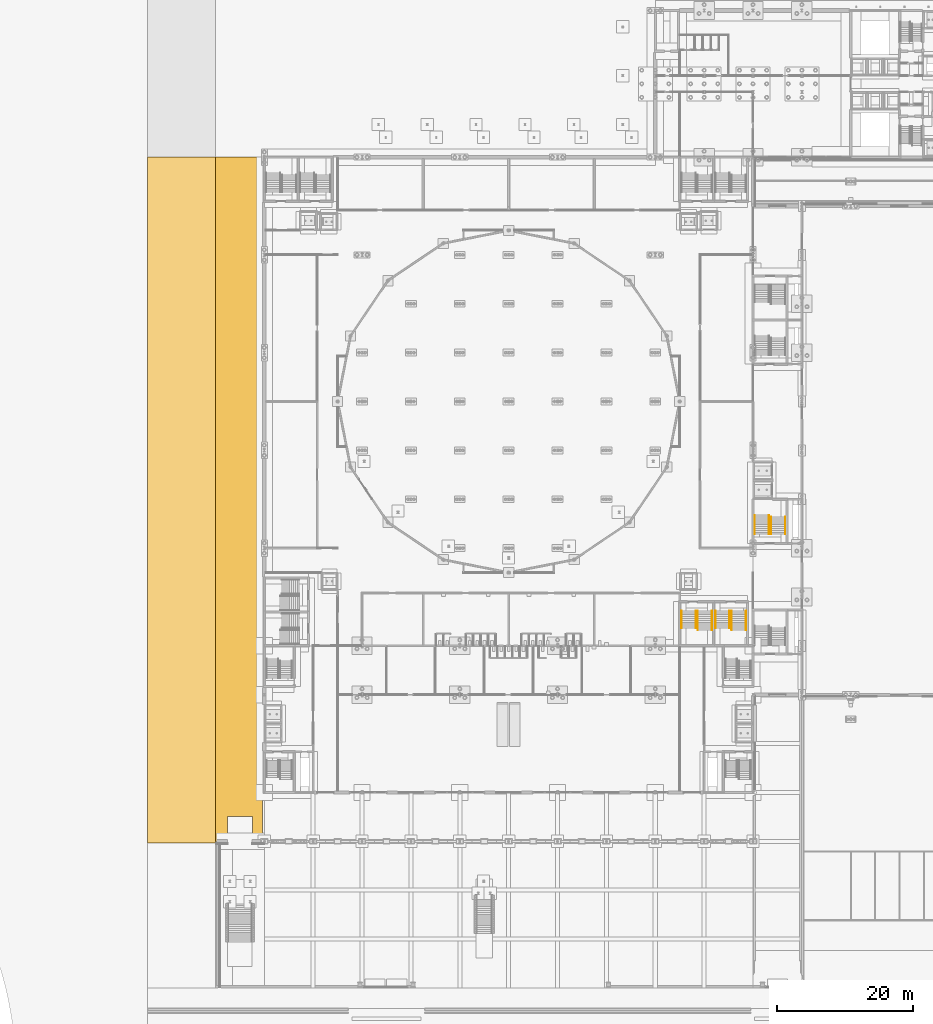
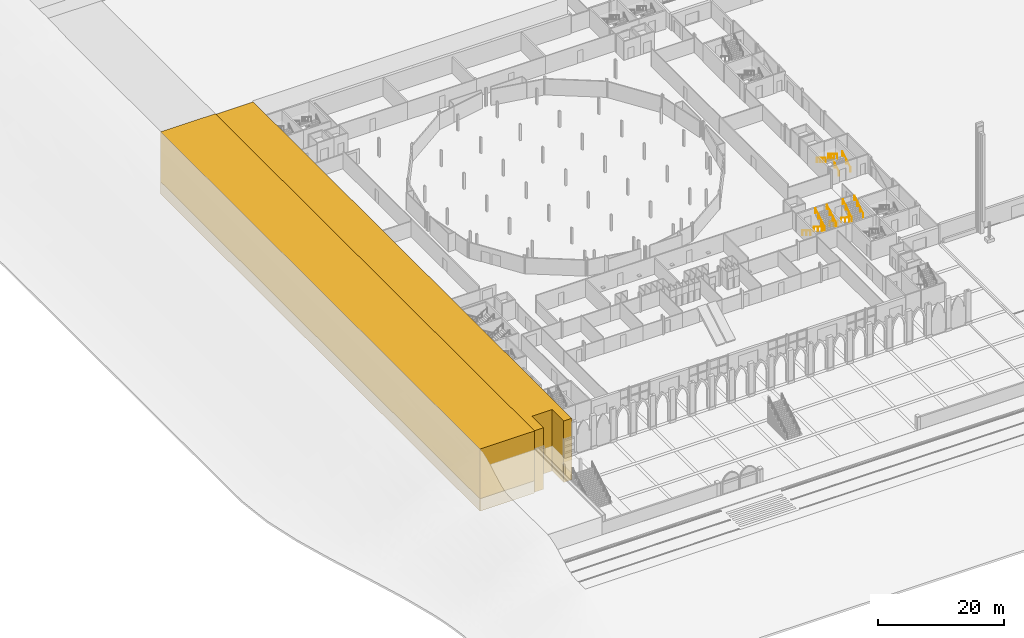
# One storey, part 125 of 148: 12 railings, 3 coverings.
"""IFC4 building model written with IfcOpenShell, lengths in metres."""

from ifc_helpers import new_model, si_unit, direction, frame, origin, origin_2d, place, context, subcontext, project, spatial, polyline, circle, outline, extrude, material, layer, layer_set, type_object, element, save


model = new_model("IFC4")

# Units and contexts
model_context = context("Model", 3, precision=1e-05, world=origin(), true_north=direction((0.0, 1.0)))
body_context = subcontext(model_context, "Body", "Model", "MODEL_VIEW")
ifc_project = project(units=[si_unit("LENGTHUNIT", "METRE"), si_unit("AREAUNIT", "SQUARE_METRE"), si_unit("VOLUMEUNIT", "CUBIC_METRE"), si_unit("PLANEANGLEUNIT", "RADIAN"), si_unit("MASSUNIT", "GRAM", prefix="KILO")], contexts=[model_context])

# Site, building, storey
site_placement = place(None, origin())
site = spatial("IfcSite", under=ifc_project, at=site_placement, CompositionType="ELEMENT")
building_placement = place(site_placement, origin())
building = spatial("IfcBuilding", under=site, at=building_placement, Name="Kupolbacken Congress Centre", CompositionType="ELEMENT")
storey_placement = place(building_placement, origin())
storey = spatial("IfcBuildingStorey", under=building, at=storey_placement, Name="L00", CompositionType="ELEMENT", Elevation=0.0)

# Coverings
ifc_material_1 = material(Name="Made ground", Category="soil")
ifc_layer_1 = layer(ifc_material_1, 2.39990234375)
ifc_layer_set_1 = layer_set([ifc_layer_1], Name="Made ground")
covering_type_1 = type_object("IfcCoveringType", Name="GR5 earthworks, made ground", PredefinedType="FLOORING", material=ifc_layer_set_1)
covering_1_placement = place(storey_placement, frame((0.0, 0.0, -4.89990234375)))
element("IfcCovering", 1, at=covering_1_placement, inside=storey, type_object=covering_type_1, Name="Earth fill under west terrace, made ground", PredefinedType="FLOORING", context=body_context, shape_type="SweptSolid", body=[
    extrude(outline(polyline([(6.925048828125, 122.39990234375), (6.925048828125, 21.60009765625), (5.449951171875, 21.60009765625), (5.449951171875, 25.25), (1.75, 25.25), (1.75, 21.60009765625), (0.0009765625, 21.60009765625), (0.0009765625, 122.39990234375), (6.925048828125, 122.39990234375)])), origin(), (0.0, 0.0, 1.0), 11.869873046875),
])
covering_2_placement = place(storey_placement, frame((0.0, 0.0, -2.5)))
element("IfcCovering", 2, at=covering_2_placement, inside=storey, type_object=covering_type_1, Name="Earthworks, west hill 21, made ground", PredefinedType="FLOORING", context=body_context, shape_type="SweptSolid", body=[
    extrude(outline(polyline([(0.0, 21.375), (-10.0, 21.375), (-10.0, 122.39990234375), (0.0, 122.39990234375), (0.0, 21.375)])), origin(), (0.0, 0.0, 1.0), 9.60009765625),
])
ifc_material_2 = material(Name="Clay till", Category="soil")
ifc_layer_2 = layer(ifc_material_2, 2.39990234375)
ifc_layer_set_2 = layer_set([ifc_layer_2], Name="Clay till")
covering_type_2 = type_object("IfcCoveringType", Name="GR6 earthworks, clay till", PredefinedType="FLOORING", material=ifc_layer_set_2)
covering_3_placement = place(storey_placement, frame((0.0, 0.0, -4.89990234375)))
element("IfcCovering", 3, at=covering_3_placement, inside=storey, type_object=covering_type_2, Name="Earthworks, west hill 21, clay till", PredefinedType="FLOORING", context=body_context, shape_type="SweptSolid", body=[
    extrude(outline(polyline([(0.0, 21.375), (-10.0, 21.375), (-10.0, 122.39990234375), (0.0, 122.39990234375), (0.0, 21.375)])), origin(), (0.0, 0.0, 1.0), 2.39990234375),
])

# Railings
ifc_material_3 = material(Name="Steel S235", Category="steel")
railing_type = type_object("IfcRailingType", Name="RL3 handrail wall-mounted 900", PredefinedType="HANDRAIL", material=ifc_material_3)
for number, where, name in (
    (4, (70.75, 55.544921875, 0.17138671875), "C/stair/PS1SE/L00/HR1L"),
    (5, (68.64990234375, 55.544921875, 0.17138671875), "C/stair/PS1SE/L00/HR1R"),
):
    element("IfcRailing", number, at=place(storey_placement, frame(where)), inside=storey, type_object=railing_type, Name=name, PredefinedType="HANDRAIL", context=body_context, shape_type="SweptSolid", body=[
        extrude(circle(Radius=0.02392578125, at=origin_2d()), frame((0.0, 0.0, 0.8759765625), z_axis=(0.0, -0.852836285881, 0.522178388565), x_axis=(1.0, 0.0, 0.0)), (0.0, 0.0, 1.0), 2.954833984375),
        extrude(circle(Radius=0.02099609375, at=origin_2d()), origin(), (0.0, 0.0, 1.0), 0.851806640625),
        extrude(circle(Radius=0.02099609375, at=origin_2d()), frame((0.0, -1.260009765625, 0.771484375)), (0.0, 0.0, 1.0), 0.851806640625),
        extrude(circle(Radius=0.02099609375, at=origin_2d()), frame((0.0, -2.52001953125, 1.54296875)), (0.0, 0.0, 1.0), 0.851806640625),
    ])
for number, where, name in (
    (6, (71.050048828125, 52.7451171875, 1.8857421875), "C/stair/PS1SE/L00/HR2L"),
    (7, (73.14990234375, 52.7451171875, 1.8857421875), "C/stair/PS1SE/L00/HR2R"),
):
    element("IfcRailing", number, at=place(storey_placement, frame(where)), inside=storey, type_object=railing_type, Name=name, PredefinedType="HANDRAIL", context=body_context, shape_type="SweptSolid", body=[
        extrude(circle(Radius=0.02392578125, at=origin_2d()), frame((0.0, 0.0, 0.8759765625), z_axis=(0.0, 0.852825620865, 0.522195806567), x_axis=(-1.0, 0.0, 0.0)), (0.0, 0.0, 1.0), 3.282958984375),
        extrude(circle(Radius=0.02099609375, at=origin_2d()), origin(), (0.0, 0.0, 1.0), 0.851806640625),
        extrude(circle(Radius=0.02099609375, at=origin_2d()), frame((0.0, 0.933349609375, 0.571533203125)), (0.0, 0.0, 1.0), 0.851806640625),
        extrude(circle(Radius=0.02099609375, at=origin_2d()), frame((0.0, 1.866455078125, 1.142822265625)), (0.0, 0.0, 1.0), 0.851806640625),
        extrude(circle(Radius=0.02099609375, at=origin_2d()), frame((0.0, 2.7998046875, 1.71435546875)), (0.0, 0.0, 1.0), 0.851806640625),
    ])
for number, where, name in (
    (8, (75.75, 55.544921875, 0.17138671875), "C/stair/PS2SE/L00/HR1L"),
    (9, (73.64990234375, 55.544921875, 0.17138671875), "C/stair/PS2SE/L00/HR1R"),
):
    element("IfcRailing", number, at=place(storey_placement, frame(where)), inside=storey, type_object=railing_type, Name=name, PredefinedType="HANDRAIL", context=body_context, shape_type="SweptSolid", body=[
        extrude(circle(Radius=0.02392578125, at=origin_2d()), frame((0.0, 0.0, 0.8759765625), z_axis=(0.0, -0.852836285881, 0.522178388565), x_axis=(1.0, 0.0, 0.0)), (0.0, 0.0, 1.0), 2.954833984375),
        extrude(circle(Radius=0.02099609375, at=origin_2d()), origin(), (0.0, 0.0, 1.0), 0.851806640625),
        extrude(circle(Radius=0.02099609375, at=origin_2d()), frame((0.0, -1.260009765625, 0.771484375)), (0.0, 0.0, 1.0), 0.851806640625),
        extrude(circle(Radius=0.02099609375, at=origin_2d()), frame((0.0, -2.52001953125, 1.54296875)), (0.0, 0.0, 1.0), 0.851806640625),
    ])
for number, where, name in (
    (10, (76.050048828125, 52.7451171875, 1.8857421875), "C/stair/PS2SE/L00/HR2L"),
    (11, (78.14990234375, 52.7451171875, 1.8857421875), "C/stair/PS2SE/L00/HR2R"),
):
    element("IfcRailing", number, at=place(storey_placement, frame(where)), inside=storey, type_object=railing_type, Name=name, PredefinedType="HANDRAIL", context=body_context, shape_type="SweptSolid", body=[
        extrude(circle(Radius=0.02392578125, at=origin_2d()), frame((0.0, 0.0, 0.8759765625), z_axis=(0.0, 0.852825620865, 0.522195806567), x_axis=(-1.0, 0.0, 0.0)), (0.0, 0.0, 1.0), 3.282958984375),
        extrude(circle(Radius=0.02099609375, at=origin_2d()), origin(), (0.0, 0.0, 1.0), 0.851806640625),
        extrude(circle(Radius=0.02099609375, at=origin_2d()), frame((0.0, 0.933349609375, 0.571533203125)), (0.0, 0.0, 1.0), 0.851806640625),
        extrude(circle(Radius=0.02099609375, at=origin_2d()), frame((0.0, 1.866455078125, 1.142822265625)), (0.0, 0.0, 1.0), 0.851806640625),
        extrude(circle(Radius=0.02099609375, at=origin_2d()), frame((0.0, 2.7998046875, 1.71435546875)), (0.0, 0.0, 1.0), 0.851806640625),
    ])
for number, where, name in (
    (12, (81.85009765625, 66.85498046875, 0.17138671875), "C/stair/LS3/L00/HR1L"),
    (13, (83.949951171875, 66.85498046875, 0.17138671875), "C/stair/LS3/L00/HR1R"),
):
    element("IfcRailing", number, at=place(storey_placement, frame(where)), inside=storey, type_object=railing_type, Name=name, PredefinedType="HANDRAIL", context=body_context, shape_type="SweptSolid", body=[
        extrude(circle(Radius=0.02392578125, at=origin_2d()), frame((0.0, 0.0, 0.8759765625), z_axis=(0.0, 0.852836285881, 0.522178388565), x_axis=(-1.0, 0.0, 0.0)), (0.0, 0.0, 1.0), 2.954833984375),
        extrude(circle(Radius=0.02099609375, at=origin_2d()), origin(), (0.0, 0.0, 1.0), 0.851806640625),
        extrude(circle(Radius=0.02099609375, at=origin_2d()), frame((0.0, 1.260009765625, 0.771484375)), (0.0, 0.0, 1.0), 0.851806640625),
        extrude(circle(Radius=0.02099609375, at=origin_2d()), frame((0.0, 2.52001953125, 1.54296875)), (0.0, 0.0, 1.0), 0.851806640625),
    ])
for number, where, name in (
    (14, (81.550048828125, 69.655029296875, 1.8857421875), "C/stair/LS3/L00/HR2L"),
    (15, (79.449951171875, 69.655029296875, 1.8857421875), "C/stair/LS3/L00/HR2R"),
):
    element("IfcRailing", number, at=place(storey_placement, frame(where)), inside=storey, type_object=railing_type, Name=name, PredefinedType="HANDRAIL", context=body_context, shape_type="SweptSolid", body=[
        extrude(circle(Radius=0.02392578125, at=origin_2d()), frame((0.0, 0.0, 0.8759765625), z_axis=(0.0, -0.852845897599, 0.522162690116), x_axis=(1.0, 0.0, 0.0)), (0.0, 0.0, 1.0), 3.283203125),
        extrude(circle(Radius=0.02099609375, at=origin_2d()), origin(), (0.0, 0.0, 1.0), 0.851806640625),
        extrude(circle(Radius=0.02099609375, at=origin_2d()), frame((0.0, -0.933349609375, 0.571533203125)), (0.0, 0.0, 1.0), 0.851806640625),
        extrude(circle(Radius=0.02099609375, at=origin_2d()), frame((0.0, -1.86669921875, 1.142822265625)), (0.0, 0.0, 1.0), 0.851806640625),
        extrude(circle(Radius=0.02099609375, at=origin_2d()), frame((0.0, -2.800048828125, 1.71435546875)), (0.0, 0.0, 1.0), 0.851806640625),
    ])

save(model, "model.ifc")
